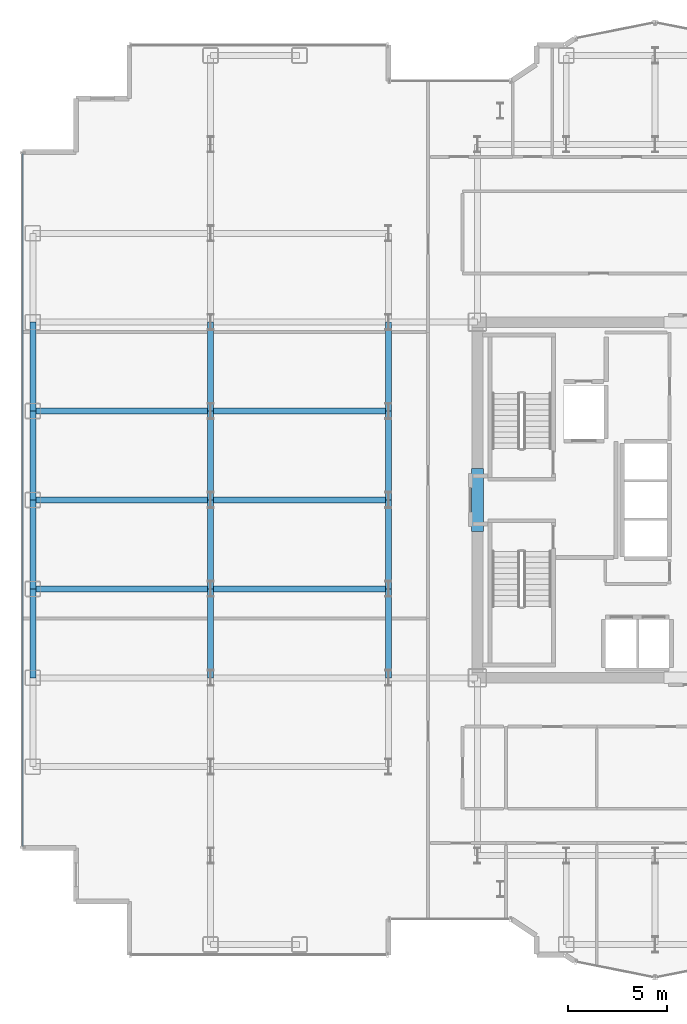
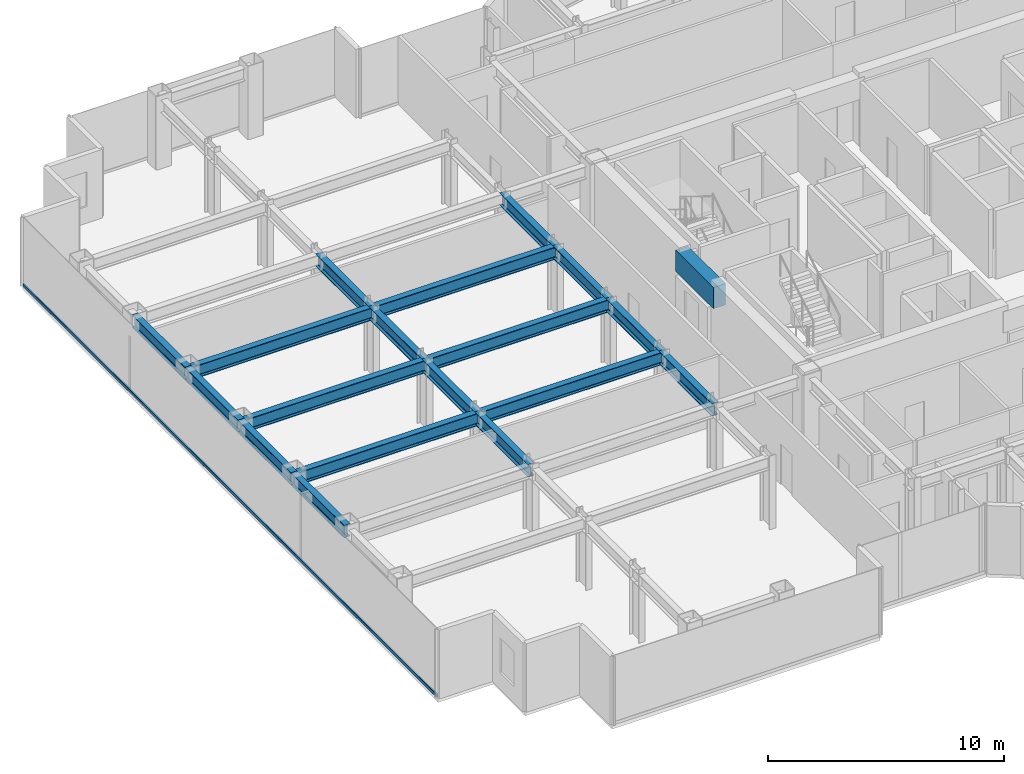
# One storey, part 6 of 23: 19 beams, 1 member, 1 element without a shape of its own.
"""IFC4 building model written with IfcOpenShell, lengths in metres."""

from ifc_helpers import new_model, si_unit, direction, frame, origin, origin_2d, place, context, subcontext, project, spatial, rectangle, hollow_rectangle, i_section, extrude, source, transform, mapped, material, layer, layer_set, material_profile, profile_set, type_object, element, aggregate, save


model = new_model("IFC4")

# Units and contexts
model_context = context("Model", 3, precision=1e-05, world=origin(), true_north=direction((0.0, 1.0)))
body_context = subcontext(model_context, "Body", "Model", "MODEL_VIEW")
ifc_project = project(units=[si_unit("LENGTHUNIT", "METRE"), si_unit("AREAUNIT", "SQUARE_METRE"), si_unit("VOLUMEUNIT", "CUBIC_METRE"), si_unit("PLANEANGLEUNIT", "RADIAN"), si_unit("MASSUNIT", "GRAM", prefix="KILO")], contexts=[model_context])

# Site, building, storey
site_placement = place(None, origin())
site = spatial("IfcSite", under=ifc_project, at=site_placement, CompositionType="ELEMENT")
building_placement = place(site_placement, origin())
building = spatial("IfcBuilding", under=site, at=building_placement, Name="Nefas-Gora Pilgrimage Tower", CompositionType="ELEMENT")
storey_placement = place(building_placement, frame((0.0, 0.0, 175.39990234375)))
storey = spatial("IfcBuildingStorey", under=building, at=storey_placement, Name="L43", CompositionType="ELEMENT", Elevation=175.39990234375)

# Beams
ifc_material_1 = material(Name="Concrete C60/75", Category="concrete")
ifc_material_profile_1 = material_profile(ifc_material_1, rectangle(XDim=0.60009765625, YDim=1.10009765625, at=origin_2d()), Name="RC 600x1100")
ifc_profile_set_1 = profile_set([ifc_material_profile_1], Name="Concrete C60/75")
beam_type_1 = type_object("IfcBeamType", Name="BM-LIN-RC1100", PredefinedType="LINTEL", material=ifc_profile_set_1)
shared_shape_1 = source(origin(), body_context, "Body", "SweptSolid", [
    extrude(rectangle(XDim=0.60009765625, YDim=1.10009765625, at=origin_2d()), origin(), (0.0, 0.0, 1.0), 3.2001953125),
])
beam_placement = place(storey_placement, frame((-11.25, -1.60009765625, 3.0), z_axis=(0.0, 1.0, 0.0), x_axis=(-1.0, 0.0, 0.0)))
element("IfcBeam", 1, at=beam_placement, inside=storey, type_object=beam_type_1, Name="L43 Core Coupling Lintel Beam W", PredefinedType="LINTEL", context=body_context, shape_type="MappedRepresentation", body=[
    mapped(shared_shape_1, transform((0.0, 0.0, 0.0), x_axis=(1.0, 0.0, 0.0), y_axis=(0.0, 1.0, 0.0), z_axis=(0.0, 0.0, 1.0), scale=1.0)),
])
ifc_material_2 = material(Name="Steel S355", Category="steel")
ifc_material_profile_2 = material_profile(ifc_material_2, i_section(OverallWidth=0.300048828125, OverallDepth=0.64990234375, WebThickness=0.01611328125, FlangeThickness=0.031005859375, FilletRadius=0.027099609375, at=origin_2d()), Name="HEB 650")
ifc_profile_set_2 = profile_set([ifc_material_profile_2], Name="Steel S355")
beam_type_2 = type_object("IfcBeamType", Name="BM-SPN-HEB500", PredefinedType="SPANDREL", material=ifc_profile_set_2)
shared_shape_2 = source(origin(), body_context, "Body", "SweptSolid", [
    extrude(i_section(OverallWidth=0.300048828125, OverallDepth=0.64990234375, WebThickness=0.01611328125, FlangeThickness=0.031005859375, FilletRadius=0.027099609375, at=origin_2d()), origin(), (0.0, 0.0, 1.0), 4.5),
])
for number, where, z_axis, x_axis, name in (
    (2, (-33.75, -9.0, 3.22509765625), (0.0, 1.0, 0.0), (-1.0, 0.0, 0.0), "L43 SP-02 beam"),
    (3, (-33.75, -4.5, 3.22509765625), (0.0, 1.0, 0.0), (-1.0, 0.0, 0.0), "L43 SP-02 beam"),
    (4, (-33.75, 0.0, 3.22509765625), (0.0, 1.0, 0.0), (-1.0, 0.0, 0.0), "L43 SP-02 beam"),
    (5, (-33.75, 4.5, 3.22509765625), (0.0, 1.0, 0.0), (-1.0, 0.0, 0.0), "L43 SP-02 beam"),
):
    element("IfcBeam", number, at=place(storey_placement, frame(where, z_axis=z_axis, x_axis=x_axis)), inside=storey, type_object=beam_type_2, Name=name, PredefinedType="SPANDREL", context=body_context, shape_type="MappedRepresentation", body=[
        mapped(shared_shape_2, transform((0.0, 0.0, 0.0), x_axis=(1.0, 0.0, 0.0), y_axis=(0.0, 1.0, 0.0), z_axis=(0.0, 0.0, 1.0), scale=1.0)),
    ])
ifc_material_profile_3 = material_profile(ifc_material_2, i_section(OverallWidth=0.300048828125, OverallDepth=0.64990234375, WebThickness=0.01611328125, FlangeThickness=0.031005859375, FilletRadius=0.027099609375, at=origin_2d()), Name="HEB 650")
ifc_profile_set_3 = profile_set([ifc_material_profile_3], Name="Steel S355")
beam_type_3 = type_object("IfcBeamType", Name="BM-GIR-HEB650", PredefinedType="BEAM", material=ifc_profile_set_3)
shared_shape_3 = source(origin(), body_context, "Body", "SweptSolid", [
    extrude(i_section(OverallWidth=0.300048828125, OverallDepth=0.64990234375, WebThickness=0.01611328125, FlangeThickness=0.031005859375, FilletRadius=0.027099609375, at=origin_2d()), origin(), (0.0, 0.0, 1.0), 9.0),
])
for number, where, z_axis, x_axis, name in (
    (6, (-33.75, -4.5, 3.22509765625), (1.0, 0.0, 0.0), (0.0, 1.0, 0.0), "L43 G-03 beam"),
    (7, (-33.75, 0.0, 3.22509765625), (1.0, 0.0, 0.0), (0.0, 1.0, 0.0), "L43 G-03 beam"),
    (8, (-33.75, 4.5, 3.22509765625), (1.0, 0.0, 0.0), (0.0, 1.0, 0.0), "L43 G-03 beam"),
    (9, (-24.75, -4.5, 3.22509765625), (1.0, 0.0, 0.0), (0.0, 1.0, 0.0), "L43 G-03 beam"),
    (10, (-24.75, 0.0, 3.22509765625), (1.0, 0.0, 0.0), (0.0, 1.0, 0.0), "L43 G-03 beam"),
    (11, (-24.75, 4.5, 3.22509765625), (1.0, 0.0, 0.0), (0.0, 1.0, 0.0), "L43 G-03 beam"),
):
    element("IfcBeam", number, at=place(storey_placement, frame(where, z_axis=z_axis, x_axis=x_axis)), inside=storey, type_object=beam_type_3, Name=name, PredefinedType="BEAM", context=body_context, shape_type="MappedRepresentation", body=[
        mapped(shared_shape_3, transform((0.0, 0.0, 0.0), x_axis=(1.0, 0.0, 0.0), y_axis=(0.0, 1.0, 0.0), z_axis=(0.0, 0.0, 1.0), scale=1.0)),
    ])
shared_shape_4 = source(origin(), body_context, "Body", "SweptSolid", [
    extrude(i_section(OverallWidth=0.300048828125, OverallDepth=0.64990234375, WebThickness=0.01611328125, FlangeThickness=0.031005859375, FilletRadius=0.027099609375, at=origin_2d()), origin(), (0.0, 0.0, 1.0), 4.5),
])
for number, where, z_axis, x_axis, name in (
    (12, (-24.75, -9.0, 3.22509765625), (0.0, 1.0, 0.0), (-1.0, 0.0, 0.0), "L43 G-03 beam"),
    (13, (-24.75, -4.5, 3.22509765625), (0.0, 1.0, 0.0), (-1.0, 0.0, 0.0), "L43 G-03 beam"),
    (14, (-24.75, 0.0, 3.22509765625), (0.0, 1.0, 0.0), (-1.0, 0.0, 0.0), "L43 G-03 beam"),
    (15, (-24.75, 4.5, 3.22509765625), (0.0, 1.0, 0.0), (-1.0, 0.0, 0.0), "L43 G-03 beam"),
    (16, (-15.75, -9.0, 3.22509765625), (0.0, 1.0, 0.0), (-1.0, 0.0, 0.0), "L43 G-03 beam"),
    (17, (-15.75, -4.5, 3.22509765625), (0.0, 1.0, 0.0), (-1.0, 0.0, 0.0), "L43 G-03 beam"),
    (18, (-15.75, 0.0, 3.22509765625), (0.0, 1.0, 0.0), (-1.0, 0.0, 0.0), "L43 G-03 beam"),
    (19, (-15.75, 4.5, 3.22509765625), (0.0, 1.0, 0.0), (-1.0, 0.0, 0.0), "L43 G-03 beam"),
):
    element("IfcBeam", number, at=place(storey_placement, frame(where, z_axis=z_axis, x_axis=x_axis)), inside=storey, type_object=beam_type_3, Name=name, PredefinedType="BEAM", context=body_context, shape_type="MappedRepresentation", body=[
        mapped(shared_shape_4, transform((0.0, 0.0, 0.0), x_axis=(1.0, 0.0, 0.0), y_axis=(0.0, 1.0, 0.0), z_axis=(0.0, 0.0, 1.0), scale=1.0)),
    ])

# Curtain wall, member
ifc_material_3 = material(Name="Dark ceramic-fritted solar-control aluminium-glass curtain wall", Category="aluminium")
ifc_layer = layer(ifc_material_3, 0.219970703125)
ifc_layer_set = layer_set([ifc_layer], Name="Dark ceramic-fritted solar-control aluminium-glass curtain wall")
curtain_wall_type = type_object("IfcCurtainWallType", Name="CW-SYS-3", PredefinedType="NOTDEFINED", material=ifc_layer_set)
curtain_wall_placement = place(storey_placement, origin())
curtain_wall = element("IfcCurtainWall", 20, at=curtain_wall_placement, inside=storey, type_object=curtain_wall_type, Name="L43 Unitised Curtain Wall CW3", PredefinedType="NOTDEFINED")
ifc_material_4 = material(Name="Anodised architectural aluminium", Category="aluminium")
ifc_material_profile_4 = material_profile(ifc_material_4, hollow_rectangle(XDim=0.080078125, YDim=0.159912109375, WallThickness=0.00439453125, InnerFilletRadius=0.00439453125, OuterFilletRadius=0.009033203125, at=origin_2d()), Name="ALU TRANSOM 80x160")
ifc_profile_set_4 = profile_set([ifc_material_profile_4], Name="Anodised architectural aluminium")
member_type = type_object("IfcMemberType", Name="CWM-TRN-3", PredefinedType="USERDEFINED", material=ifc_profile_set_4)
shared_shape_5 = source(origin(), body_context, "Body", "SweptSolid", [
    extrude(hollow_rectangle(XDim=0.080078125, YDim=0.159912109375, WallThickness=0.00439453125, InnerFilletRadius=0.00439453125, OuterFilletRadius=0.009033203125, at=origin_2d()), origin(), (0.0, 0.0, 1.0), 35.06005859375),
])
member_placement = place(storey_placement, frame((-34.27001953125, 17.530029296875, 0.050048828125), z_axis=(0.0, -1.0, 0.0), x_axis=(1.0, 0.0, 0.0)))
member = element("IfcMember", 21, at=member_placement, type_object=member_type, Name="CW3 Spandrel Transom", ObjectType="TRANSOM", PredefinedType="USERDEFINED", context=body_context, shape_type="MappedRepresentation", body=[
    mapped(shared_shape_5, transform((0.0, 0.0, 0.0), x_axis=(1.0, 0.0, 0.0), y_axis=(0.0, 1.0, 0.0), z_axis=(0.0, 0.0, 1.0), scale=1.0)),
])
aggregate(curtain_wall, [member])

save(model, "model.ifc")
